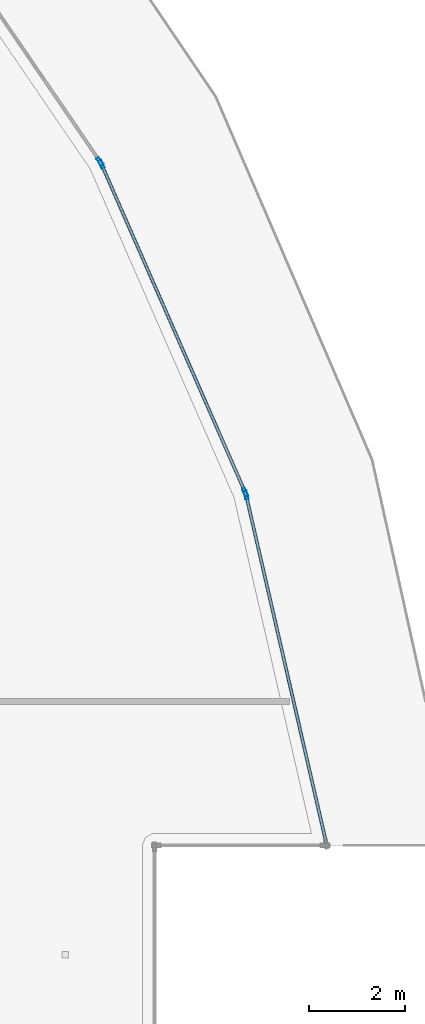
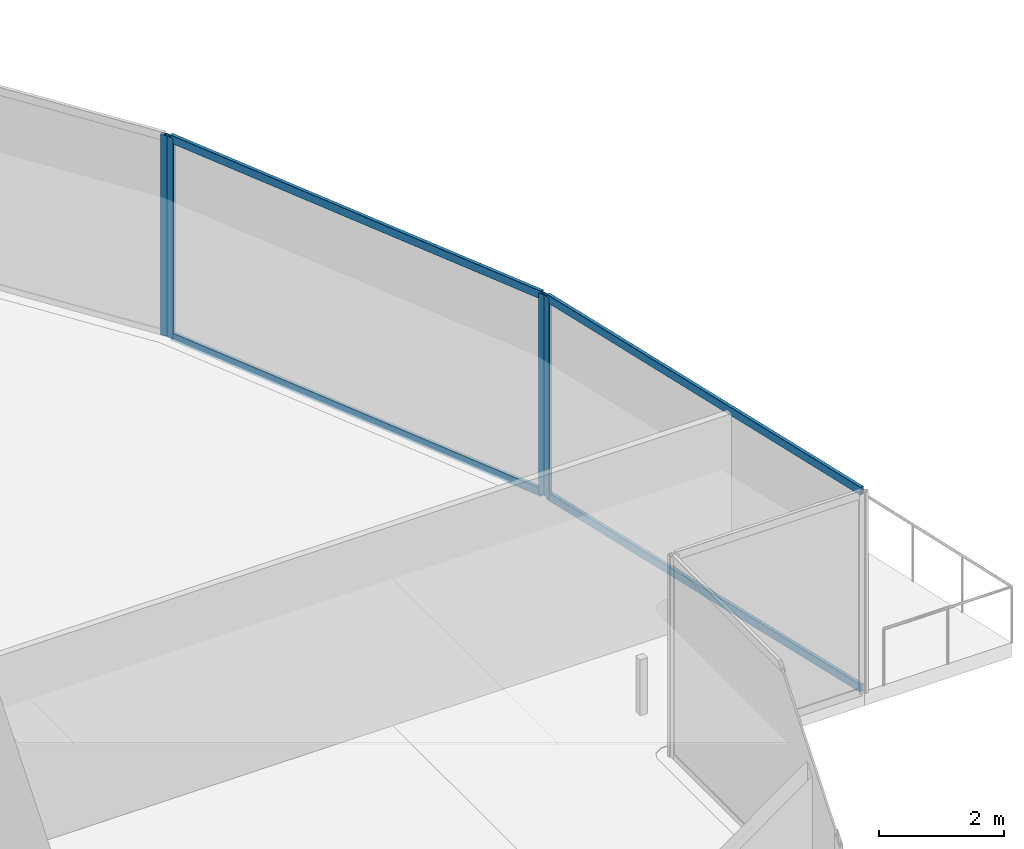
# One storey, part 25 of 44: 8 members, 3 elements without a shape of their own.
"""IFC4 building model written with IfcOpenShell, lengths in metres."""

from ifc_helpers import new_model, si_unit, direction, frame, origin, origin_2d, place, context, subcontext, project, spatial, hollow_rectangle, extrude, material, layer, layer_set, material_profile, profile_set, type_object, element, aggregate, save


model = new_model("IFC4")

# Units and contexts
model_context = context("Model", 3, precision=1e-05, world=origin(), true_north=direction((0.0, 1.0)))
body_context = subcontext(model_context, "Body", "Model", "MODEL_VIEW")
ifc_project = project(units=[si_unit("LENGTHUNIT", "METRE"), si_unit("AREAUNIT", "SQUARE_METRE"), si_unit("VOLUMEUNIT", "CUBIC_METRE"), si_unit("PLANEANGLEUNIT", "RADIAN"), si_unit("MASSUNIT", "GRAM", prefix="KILO")], contexts=[model_context])

# Site, building, storey
site_placement = place(None, origin())
site = spatial("IfcSite", under=ifc_project, at=site_placement, CompositionType="ELEMENT")
building_placement = place(site_placement, origin())
building = spatial("IfcBuilding", under=site, at=building_placement, Name="Qorvath Tower", CompositionType="ELEMENT")
storey_placement = place(building_placement, frame((0.0, 0.0, 40.800048828125)))
storey = spatial("IfcBuildingStorey", under=building, at=storey_placement, Name="L08", CompositionType="ELEMENT", Elevation=40.800048828125)

# Curtain wall, member
ifc_material_1 = material(Name="Anodised aluminium and triple low-E glass", Category="aluminium")
ifc_layer = layer(ifc_material_1, 0.179931640625)
ifc_layer_set = layer_set([ifc_layer], Name="CW-SYS-2")
curtain_wall_type = type_object("IfcCurtainWallType", Name="CW-SYS-2", PredefinedType="NOTDEFINED", material=ifc_layer_set)
curtain_wall_1_placement = place(storey_placement, origin())
curtain_wall_1 = element("IfcCurtainWall", 1, at=curtain_wall_1_placement, inside=storey, type_object=curtain_wall_type, Name="Curtain Wall CW-2 CW-T-L08-11.1", PredefinedType="NOTDEFINED")
ifc_material_2 = material(Name="Anodised aluminium 6063-T6", Category="aluminium")
ifc_material_profile_1 = material_profile(ifc_material_2, hollow_rectangle(XDim=0.06494140625, YDim=0.179931640625, WallThickness=0.00341796875, InnerFilletRadius=0.00341796875, OuterFilletRadius=0.007080078125, at=origin_2d()), Name="CWM 180x65")
ifc_profile_set_1 = profile_set([ifc_material_profile_1], Name="Anodised aluminium 6063-T6")
member_type_1 = type_object("IfcMemberType", Name="CWM-180", PredefinedType="MULLION", material=ifc_profile_set_1)
member_1_placement = place(storey_placement, frame((5.63818359375, 12.63037109375, 0.0), z_axis=(0.0, 0.0, 1.0), x_axis=(-0.974466004857, -0.224535087188, 0.0)))
member_1 = element("IfcMember", 2, at=member_1_placement, type_object=member_type_1, Name="CW-2 mullion 2", PredefinedType="MULLION", context=body_context, shape_type="SweptSolid", body=[
    extrude(hollow_rectangle(XDim=0.06494140625, YDim=0.179931640625, WallThickness=0.00341796875, InnerFilletRadius=0.00341796875, OuterFilletRadius=0.007080078125, at=origin_2d()), origin(), (0.0, 0.0, 1.0), 3.919921875),
])

# Curtain wall, members
curtain_wall_2_placement = place(storey_placement, origin())
curtain_wall_2 = element("IfcCurtainWall", 3, at=curtain_wall_2_placement, inside=storey, type_object=curtain_wall_type, Name="Curtain Wall CW-2 CW-T-L08-12.1", PredefinedType="NOTDEFINED")
member_2_placement = place(storey_placement, frame((5.617919921875, 12.69189453125, 0.0), z_axis=(0.0, 0.0, 1.0), x_axis=(-0.916000523281, -0.401177069819, 0.0)))
member_2 = element("IfcMember", 4, at=member_2_placement, type_object=member_type_1, Name="CW-2 mullion 1", PredefinedType="MULLION", context=body_context, shape_type="SweptSolid", body=[
    extrude(hollow_rectangle(XDim=0.06494140625, YDim=0.179931640625, WallThickness=0.00341796875, InnerFilletRadius=0.00341796875, OuterFilletRadius=0.007080078125, at=origin_2d()), origin(), (0.0, 0.0, 1.0), 3.919921875),
])
member_3_placement = place(storey_placement, frame((2.63623046875, 19.49951171875, 0.0), z_axis=(0.0, 0.0, 1.0), x_axis=(-0.916000523281, -0.401177069819, 0.0)))
member_3 = element("IfcMember", 5, at=member_3_placement, type_object=member_type_1, Name="CW-2 mullion 2", PredefinedType="MULLION", context=body_context, shape_type="SweptSolid", body=[
    extrude(hollow_rectangle(XDim=0.06494140625, YDim=0.179931640625, WallThickness=0.00341796875, InnerFilletRadius=0.00341796875, OuterFilletRadius=0.007080078125, at=origin_2d()), origin(), (0.0, 0.0, 1.0), 3.919921875),
])

# Curtain wall, member
curtain_wall_3_placement = place(storey_placement, origin())
curtain_wall_3 = element("IfcCurtainWall", 6, at=curtain_wall_3_placement, inside=storey, type_object=curtain_wall_type, Name="Curtain Wall CW-2 CW-T-L08-13.1", PredefinedType="NOTDEFINED")
member_4_placement = place(storey_placement, frame((2.60498046875, 19.55615234375, 0.0), z_axis=(0.0, 0.0, 1.0), x_axis=(-0.825849008834, -0.563891314535, 0.0)))
member_4 = element("IfcMember", 7, at=member_4_placement, type_object=member_type_1, Name="CW-2 mullion 1", PredefinedType="MULLION", context=body_context, shape_type="SweptSolid", body=[
    extrude(hollow_rectangle(XDim=0.06494140625, YDim=0.179931640625, WallThickness=0.00341796875, InnerFilletRadius=0.00341796875, OuterFilletRadius=0.007080078125, at=origin_2d()), origin(), (0.0, 0.0, 1.0), 3.919921875),
])
aggregate(curtain_wall_3, [member_4])

# Member
ifc_material_3 = material(Name="Anodised aluminium 6063-T6", Category="aluminium")
ifc_material_profile_2 = material_profile(ifc_material_3, hollow_rectangle(XDim=0.06494140625, YDim=0.159912109375, WallThickness=0.00341796875, InnerFilletRadius=0.00341796875, OuterFilletRadius=0.007080078125, at=origin_2d()), Name="CWT 160x65")
ifc_profile_set_2 = profile_set([ifc_material_profile_2], Name="Anodised aluminium 6063-T6")
member_type_2 = type_object("IfcMemberType", Name="CWT-160", PredefinedType="USERDEFINED", material=ifc_profile_set_2)
member_5_placement = place(storey_placement, frame((7.299560546875, 5.419921875, 0.032470703125), z_axis=(-0.224520650213, 0.974469331292, 0.0), x_axis=(-0.974469331292, -0.224520650213, 0.0)))
member_5 = element("IfcMember", 8, at=member_5_placement, type_object=member_type_2, Name="CW-2 transom 1.1", ObjectType="TRANSOM", PredefinedType="USERDEFINED", context=body_context, shape_type="SweptSolid", body=[
    extrude(hollow_rectangle(XDim=0.06494140625, YDim=0.159912109375, WallThickness=0.00341796875, InnerFilletRadius=0.00341796875, OuterFilletRadius=0.007080078125, at=origin_2d()), origin(), (0.0, 0.0, 1.0), 7.366943359375),
])

member_6_placement = place(storey_placement, frame((7.299560546875, 5.419921875, 3.887451171875), z_axis=(-0.224520650213, 0.974469331292, 0.0), x_axis=(-0.974469331292, -0.224520650213, 0.0)))
member_6 = element("IfcMember", 9, at=member_6_placement, type_object=member_type_2, Name="CW-2 transom 1.2", ObjectType="TRANSOM", PredefinedType="USERDEFINED", context=body_context, shape_type="SweptSolid", body=[
    extrude(hollow_rectangle(XDim=0.06494140625, YDim=0.159912109375, WallThickness=0.00341796875, InnerFilletRadius=0.00341796875, OuterFilletRadius=0.007080078125, at=origin_2d()), origin(), (0.0, 0.0, 1.0), 7.366943359375),
])

aggregate(curtain_wall_1, [member_1, member_5, member_6])

member_7_placement = place(storey_placement, frame((5.604736328125, 12.7216796875, 0.032470703125), z_axis=(-0.401166509416, 0.916005148306, 0.0), x_axis=(-0.916005148306, -0.401166509416, 0.0)))
member_7 = element("IfcMember", 10, at=member_7_placement, type_object=member_type_2, Name="CW-2 transom 1.1", ObjectType="TRANSOM", PredefinedType="USERDEFINED", context=body_context, shape_type="SweptSolid", body=[
    extrude(hollow_rectangle(XDim=0.06494140625, YDim=0.159912109375, WallThickness=0.00341796875, InnerFilletRadius=0.00341796875, OuterFilletRadius=0.007080078125, at=origin_2d()), origin(), (0.0, 0.0, 1.0), 7.366943359375),
])

member_8_placement = place(storey_placement, frame((5.604736328125, 12.7216796875, 3.887451171875), z_axis=(-0.401166509416, 0.916005148306, 0.0), x_axis=(-0.916005148306, -0.401166509416, 0.0)))
member_8 = element("IfcMember", 11, at=member_8_placement, type_object=member_type_2, Name="CW-2 transom 1.2", ObjectType="TRANSOM", PredefinedType="USERDEFINED", context=body_context, shape_type="SweptSolid", body=[
    extrude(hollow_rectangle(XDim=0.06494140625, YDim=0.159912109375, WallThickness=0.00341796875, InnerFilletRadius=0.00341796875, OuterFilletRadius=0.007080078125, at=origin_2d()), origin(), (0.0, 0.0, 1.0), 7.366943359375),
])

aggregate(curtain_wall_2, [member_2, member_3, member_7, member_8])

save(model, "model.ifc")
